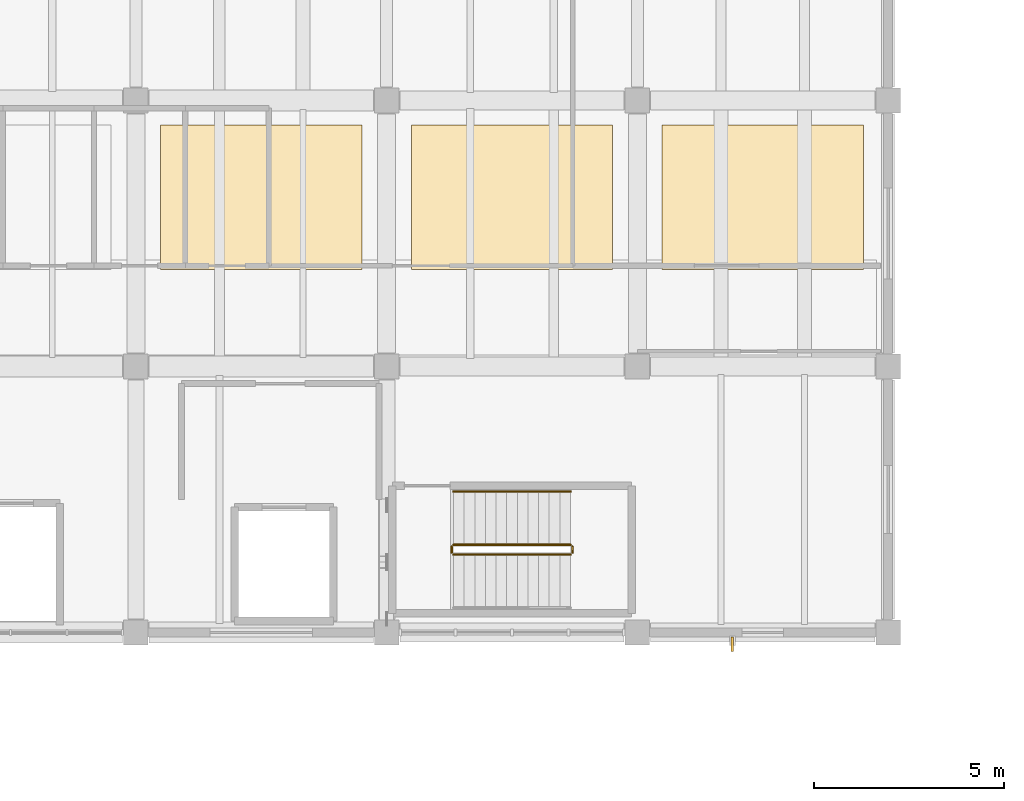
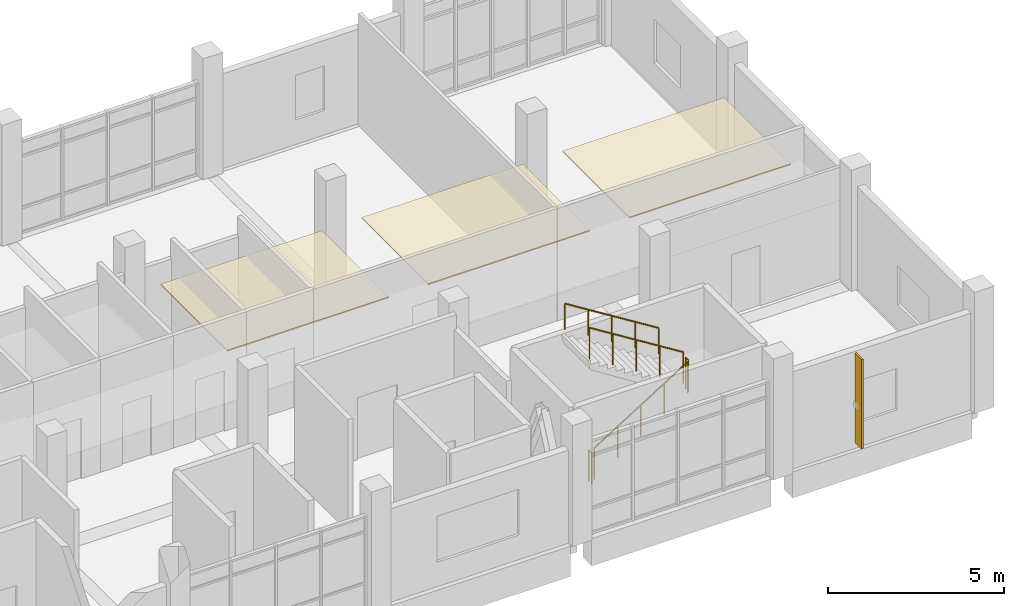
# One storey, part 16 of 16: 5 railings, 3 coverings, 1 shading device.
"""IFC4 building model written with IfcOpenShell, lengths in metres."""

from ifc_helpers import new_model, si_unit, direction, frame, origin, origin_2d, place, context, subcontext, project, spatial, polyline, rectangle, circle, outline, extrude, material, layer, layer_set, material_profile, profile_set, type_object, element, save


model = new_model("IFC4")

# Units and contexts
model_context = context("Model", 3, precision=1e-05, world=origin(), true_north=direction((0.0, 1.0)))
body_context = subcontext(model_context, "Body", "Model", "MODEL_VIEW")
ifc_project = project(units=[si_unit("LENGTHUNIT", "METRE"), si_unit("AREAUNIT", "SQUARE_METRE"), si_unit("VOLUMEUNIT", "CUBIC_METRE"), si_unit("PLANEANGLEUNIT", "RADIAN"), si_unit("MASSUNIT", "GRAM", prefix="KILO")], contexts=[model_context])

# Site, building, storey
site_placement = place(None, origin())
site = spatial("IfcSite", under=ifc_project, at=site_placement, CompositionType="ELEMENT")
building_placement = place(site_placement, origin())
building = spatial("IfcBuilding", under=site, at=building_placement, Name="Ciguamira Faculty of Natural Sciences", CompositionType="ELEMENT")
storey_placement = place(building_placement, frame((0.0, 0.0, 25.199951171875)))
storey = spatial("IfcBuildingStorey", under=building, at=storey_placement, Name="L06", CompositionType="ELEMENT", Elevation=25.199951171875)

# Coverings
ifc_material_1 = material(Name="Perforated white acoustic ceiling")
ifc_layer = layer(ifc_material_1, 0.0400390625, Name="Perforated white acoustic ceiling")
ifc_layer_set = layer_set([ifc_layer], Name="Perforated white acoustic ceiling")
covering_type = type_object("IfcCoveringType", Name="AcousticCeiling_AC01", PredefinedType="CEILING", material=ifc_layer_set)
covering_1_placement = place(storey_placement, frame((0.0, 0.0, 2.760009765625)))
element("IfcCovering", 1, at=covering_1_placement, inside=storey, type_object=covering_type, Name="L06 research bay 04 acoustic ceiling", PredefinedType="CEILING", context=body_context, shape_type="SweptSolid", body=[
    extrude(outline(polyline([(90.949951171875, 103.550048828125), (96.25, 103.550048828125), (96.25, 107.35009765625), (90.949951171875, 107.35009765625), (90.949951171875, 103.550048828125)])), origin(), (0.0, 0.0, 1.0), 0.0400390625),
])
covering_2_placement = place(storey_placement, frame((0.0, 0.0, 2.760009765625)))
element("IfcCovering", 2, at=covering_2_placement, inside=storey, type_object=covering_type, Name="L06 research bay 05 acoustic ceiling", PredefinedType="CEILING", context=body_context, shape_type="SweptSolid", body=[
    extrude(outline(polyline([(97.550048828125, 103.550048828125), (102.85009765625, 103.550048828125), (102.85009765625, 107.35009765625), (97.550048828125, 107.35009765625), (97.550048828125, 103.550048828125)])), origin(), (0.0, 0.0, 1.0), 0.0400390625),
])
covering_3_placement = place(storey_placement, frame((0.0, 0.0, 2.760009765625)))
element("IfcCovering", 3, at=covering_3_placement, inside=storey, type_object=covering_type, Name="L06 research bay 06 acoustic ceiling", PredefinedType="CEILING", context=body_context, shape_type="SweptSolid", body=[
    extrude(outline(polyline([(104.14990234375, 103.550048828125), (109.449951171875, 103.550048828125), (109.449951171875, 107.35009765625), (104.14990234375, 107.35009765625), (104.14990234375, 103.550048828125)])), origin(), (0.0, 0.0, 1.0), 0.0400390625),
])

# Railings
ifc_material_2 = material(Name="Stainless steel balustrade", Category="steel")
railing_type_1 = type_object("IfcRailingType", Name="Guardrail_GR01", PredefinedType="GUARDRAIL", material=ifc_material_2)
railing_1_placement = place(storey_placement, frame((98.659912109375, 96.050048828125, 0.175048828125)))
element("IfcRailing", 4, at=railing_1_placement, inside=storey, type_object=railing_type_1, Name="L06 ST-T2 stair guard 1", PredefinedType="GUARDRAIL", context=body_context, shape_type="SweptSolid", body=[
    extrude(circle(Radius=0.02392578125, at=origin_2d()), frame((0.0, 0.0, 1.076171875), z_axis=(0.847998304005, 0.0, 0.529998940003), x_axis=(0.0, 1.0, 0.0)), (0.0, 0.0, 1.0), 3.632080078125),
    extrude(circle(Radius=0.02099609375, at=origin_2d()), origin(), (0.0, 0.0, 1.0), 1.052001953125),
    extrude(circle(Radius=0.02099609375, at=origin_2d()), frame((0.77001953125, 0.0, 0.481201171875)), (0.0, 0.0, 1.0), 1.052001953125),
    extrude(circle(Radius=0.02099609375, at=origin_2d()), frame((1.5400390625, 0.0, 0.96240234375)), (0.0, 0.0, 1.0), 1.052001953125),
    extrude(circle(Radius=0.02099609375, at=origin_2d()), frame((2.31005859375, 0.0, 1.44384765625)), (0.0, 0.0, 1.0), 1.052001953125),
    extrude(circle(Radius=0.02099609375, at=origin_2d()), frame((3.080078125, 0.0, 1.925048828125)), (0.0, 0.0, 1.0), 1.052001953125),
])
railing_2_placement = place(storey_placement, frame((101.7900390625, 96.10009765625, 2.10009765625)))
element("IfcRailing", 5, at=railing_2_placement, inside=storey, type_object=railing_type_1, Name="L06 ST-T2 stair guard 2", PredefinedType="GUARDRAIL", context=body_context, shape_type="SweptSolid", body=[
    extrude(circle(Radius=0.02392578125, at=origin_2d()), frame((0.0, 0.0, 1.076171875), z_axis=(0.0, 1.0, 0.0), x_axis=(-1.0, 0.0, 0.0)), (0.0, 0.0, 1.0), 0.159912109375),
    extrude(circle(Radius=0.02099609375, at=origin_2d()), origin(), (0.0, 0.0, 1.0), 1.052001953125),
    extrude(circle(Radius=0.02099609375, at=origin_2d()), frame((0.0, 0.159912109375, 0.0)), (0.0, 0.0, 1.0), 1.052001953125),
])
railing_3_placement = place(storey_placement, frame((101.739990234375, 96.31005859375, 2.275146484375)))
element("IfcRailing", 6, at=railing_3_placement, inside=storey, type_object=railing_type_1, Name="L06 ST-T2 stair guard 3", PredefinedType="GUARDRAIL", context=body_context, shape_type="SweptSolid", body=[
    extrude(circle(Radius=0.02392578125, at=origin_2d()), frame((0.0, 0.0, 1.076171875), z_axis=(-0.848028513186, 0.0, 0.529950602248), x_axis=(0.0, -1.0, 0.0)), (0.0, 0.0, 1.0), 3.632080078125),
    extrude(circle(Radius=0.02099609375, at=origin_2d()), origin(), (0.0, 0.0, 1.0), 1.052001953125),
    extrude(circle(Radius=0.02099609375, at=origin_2d()), frame((-0.77001953125, 0.0, 0.481201171875)), (0.0, 0.0, 1.0), 1.052001953125),
    extrude(circle(Radius=0.02099609375, at=origin_2d()), frame((-1.5400390625, 0.0, 0.96240234375)), (0.0, 0.0, 1.0), 1.052001953125),
    extrude(circle(Radius=0.02099609375, at=origin_2d()), frame((-2.31005859375, 0.0, 1.443603515625)), (0.0, 0.0, 1.0), 1.052001953125),
    extrude(circle(Radius=0.02099609375, at=origin_2d()), frame((-3.080078125, 0.0, 1.9248046875)), (0.0, 0.0, 1.0), 1.052001953125),
])
railing_4_placement = place(storey_placement, frame((98.610107421875, 96.10009765625, 0.0)))
element("IfcRailing", 7, at=railing_4_placement, inside=storey, type_object=railing_type_1, Name="L06 ST-T2 stair guard 4", PredefinedType="GUARDRAIL", context=body_context, shape_type="SweptSolid", body=[
    extrude(circle(Radius=0.02392578125, at=origin_2d()), frame((0.0, 0.0, 1.076171875), z_axis=(0.0, 1.0, 0.0), x_axis=(-1.0, 0.0, 0.0)), (0.0, 0.0, 1.0), 0.159912109375),
    extrude(circle(Radius=0.02099609375, at=origin_2d()), origin(), (0.0, 0.0, 1.0), 1.052001953125),
    extrude(circle(Radius=0.02099609375, at=origin_2d()), frame((0.0, 0.159912109375, 0.0)), (0.0, 0.0, 1.0), 1.052001953125),
])
ifc_material_3 = material(Name="Stainless steel handrail", Category="steel")
railing_type_2 = type_object("IfcRailingType", Name="Handrail_HR01", PredefinedType="HANDRAIL", material=ifc_material_3)
railing_5_placement = place(storey_placement, frame((101.739990234375, 97.7099609375, 2.449951171875)))
element("IfcRailing", 8, at=railing_5_placement, inside=storey, type_object=railing_type_2, Name="L06 ST-T2 stair handrail 2", PredefinedType="HANDRAIL", context=body_context, shape_type="SweptSolid", body=[
    extrude(circle(Radius=0.02392578125, at=origin_2d()), frame((0.0, 0.0, 0.89111328125), z_axis=(-0.847998304005, 0.0, 0.529998940003), x_axis=(0.0, -1.0, 0.0)), (0.0, 0.0, 1.0), 3.632080078125),
    extrude(circle(Radius=0.02099609375, at=origin_2d()), origin(), (0.0, 0.0, 1.0), 0.866943359375),
    extrude(circle(Radius=0.02099609375, at=origin_2d()), frame((-0.77001953125, 0.0, 0.481201171875)), (0.0, 0.0, 1.0), 0.866943359375),
    extrude(circle(Radius=0.02099609375, at=origin_2d()), frame((-1.5400390625, 0.0, 0.96240234375)), (0.0, 0.0, 1.0), 0.866943359375),
    extrude(circle(Radius=0.02099609375, at=origin_2d()), frame((-2.31005859375, 0.0, 1.44384765625)), (0.0, 0.0, 1.0), 0.866943359375),
    extrude(circle(Radius=0.02099609375, at=origin_2d()), frame((-3.080078125, 0.0, 1.925048828125)), (0.0, 0.0, 1.0), 0.866943359375),
])

# Shading device
ifc_material_4 = material(Name="Anodized bronze sunshade fin")
ifc_material_profile = material_profile(ifc_material_4, rectangle(XDim=0.06494140625, YDim=0.3798828125, at=origin_2d()), Name="BRZ-FIN-65X380")
ifc_profile_set = profile_set([ifc_material_profile], Name="Anodized bronze sunshade fin")
shading_device_type = type_object("IfcShadingDeviceType", Name="SunFin_SF01", PredefinedType="USERDEFINED", material=ifc_profile_set)
shading_device_placement = place(storey_placement, frame((106.0, 93.68994140625, 0.199951171875), z_axis=(0.0, 0.0, 1.0), x_axis=(1.0, 0.0, 0.0)))
element("IfcShadingDevice", 9, at=shading_device_placement, inside=storey, type_object=shading_device_type, Name="L06 bronze vertical sunshade fin 0032", ObjectType="SUNSHADE FIN", PredefinedType="USERDEFINED", context=body_context, shape_type="SweptSolid", body=[
    extrude(rectangle(XDim=0.06494140625, YDim=0.3798828125, at=origin_2d()), origin(), (0.0, 0.0, 1.0), 3.114990234375),
])

save(model, "model.ifc")
